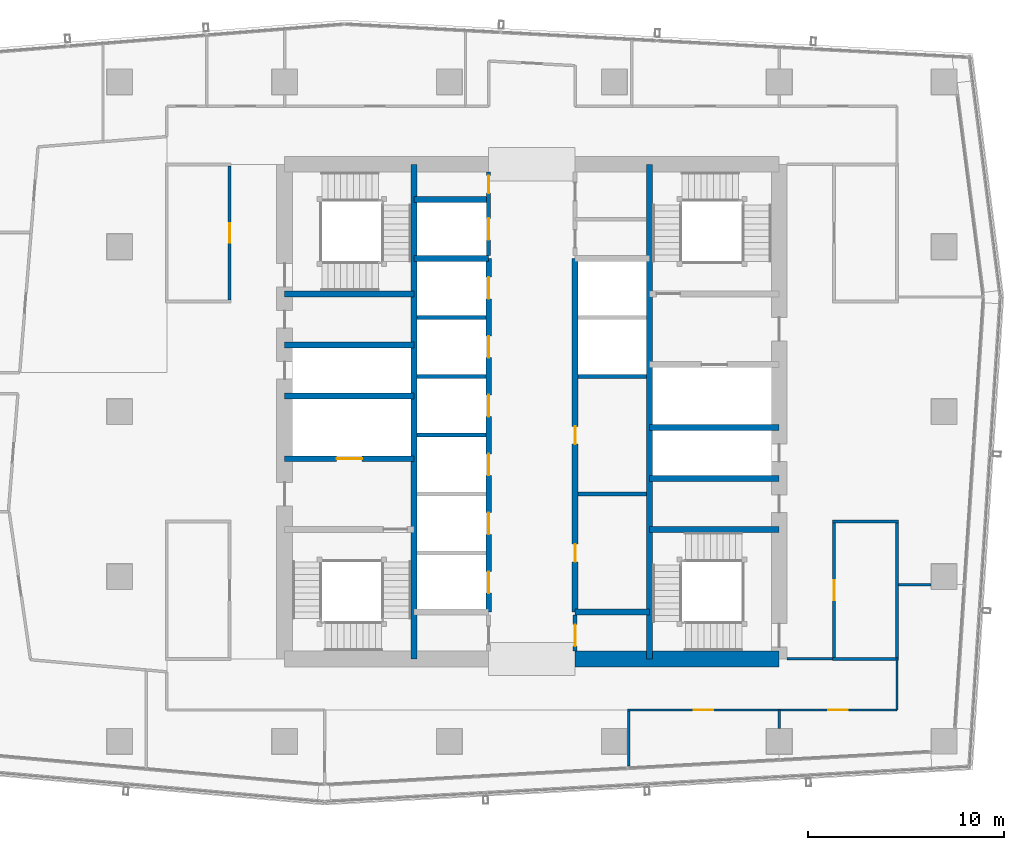
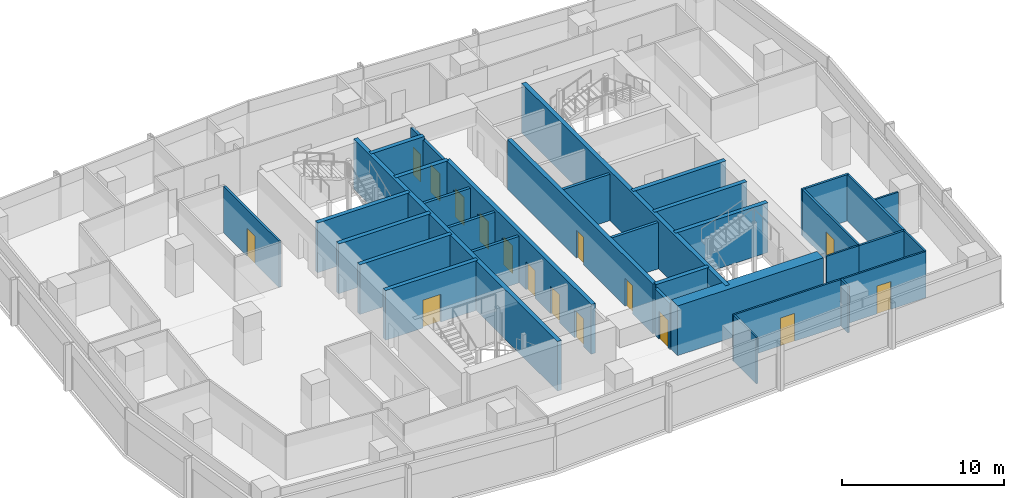
# One storey, part 23 of 29: 34 walls, 16 doors, 16 openings.
"""IFC4 building model written with IfcOpenShell, lengths in metres."""

from ifc_helpers import new_model, si_unit, direction, frame, frame_2d, origin, place, context, subcontext, project, spatial, rectangle, extrude, material, layer, layer_set, type_object, element, fill, save


model = new_model("IFC4")

# Units and contexts
model_context = context("Model", 3, precision=1e-05, world=origin(), true_north=direction((0.0, 1.0)))
body_context = subcontext(model_context, "Body", "Model", "MODEL_VIEW")
ifc_project = project(units=[si_unit("LENGTHUNIT", "METRE"), si_unit("AREAUNIT", "SQUARE_METRE"), si_unit("VOLUMEUNIT", "CUBIC_METRE"), si_unit("PLANEANGLEUNIT", "RADIAN"), si_unit("MASSUNIT", "GRAM", prefix="KILO")], contexts=[model_context])

# Site, building, storey
site_placement = place(None, origin())
site = spatial("IfcSite", under=ifc_project, at=site_placement, CompositionType="ELEMENT")
building_placement = place(site_placement, origin())
building = spatial("IfcBuilding", under=site, at=building_placement, Name="Rekha Terrace Tower", CompositionType="ELEMENT")
storey_placement = place(building_placement, frame((0.0, 0.0, 257.60009765625)))
storey = spatial("IfcBuildingStorey", under=building, at=storey_placement, Name="L65", CompositionType="ELEMENT", Elevation=257.60009765625)

# Walls
ifc_material_1 = material(Name="Concrete M60", Category="concrete")
ifc_layer_1 = layer(ifc_material_1, 0.300048828125)
ifc_layer_set_1 = layer_set([ifc_layer_1], Name="Concrete M60")
wall_type_1 = type_object("IfcWallType", Name="CI5 300 core internal shear wall", PredefinedType="SHEAR", material=ifc_layer_set_1)
for number, where, z_axis, x_axis, name in (
    (1, (31.800048828125, 21.0, 0.0), (0.0, 0.0, 1.0), (0.0, 1.0, 0.0), "Core wall X318 L65"),
    (2, (43.800048828125, 21.0, 0.0), (0.0, 0.0, 1.0), (0.0, 1.0, 0.0), "Core wall X438 L65"),
):
    element("IfcWall", number, at=place(storey_placement, frame(where, z_axis=z_axis, x_axis=x_axis)), inside=storey, type_object=wall_type_1, Name=name, PredefinedType="SHEAR", context=body_context, shape_type="SweptSolid", body=[
        extrude(rectangle(XDim=25.199951171875, YDim=0.300048828125, at=frame_2d((12.60009765625, 0.0))), origin(), (0.0, 0.0, 1.0), 3.75),
    ])

# Wall, openings, doors
wall_1_placement = place(storey_placement, frame((35.60009765625, 23.39990234375, 0.0), z_axis=(0.0, 0.0, 1.0), x_axis=(0.0, 1.0, 0.0)))
wall_1 = element("IfcWall", 3, at=wall_1_placement, inside=storey, type_object=wall_type_1, Name="Core wall X356 L65", PredefinedType="SHEAR", context=body_context, shape_type="SweptSolid", body=[
    extrude(rectangle(XDim=18.0, YDim=0.300048828125, at=frame_2d((9.0, 0.0))), origin(), (0.0, 0.0, 1.0), 3.75),
])
opening_1_placement = place(wall_1_placement, frame((0.949951171875, 0.0, 0.0)))
opening_1 = element("IfcOpeningElement", 4, at=opening_1_placement, cuts=wall_1, Name="Opening LD1", PredefinedType="OPENING", context=body_context, shape_type="SweptSolid", body=[
    extrude(rectangle(XDim=1.10009765625, YDim=2.10009765625, at=frame_2d((0.550048828125, 1.050048828125))), frame((0.0, 0.159912109375, 0.0), z_axis=(0.0, -1.0, 0.0), x_axis=(1.0, 0.0, 0.0)), (0.0, 0.0, 1.0), 0.320068359375),
])
opening_2_placement = place(wall_1_placement, frame((3.949951171875, 0.0, 0.0)))
opening_2 = element("IfcOpeningElement", 5, at=opening_2_placement, cuts=wall_1, Name="Opening LD1", PredefinedType="OPENING", context=body_context, shape_type="SweptSolid", body=[
    extrude(rectangle(XDim=1.10009765625, YDim=2.10009765625, at=frame_2d((0.550048828125, 1.050048828125))), frame((0.0, 0.159912109375, 0.0), z_axis=(0.0, -1.0, 0.0), x_axis=(1.0, 0.0, 0.0)), (0.0, 0.0, 1.0), 0.320068359375),
])
opening_3_placement = place(wall_1_placement, frame((6.949951171875, 0.0, 0.0)))
opening_3 = element("IfcOpeningElement", 6, at=opening_3_placement, cuts=wall_1, Name="Opening LD1", PredefinedType="OPENING", context=body_context, shape_type="SweptSolid", body=[
    extrude(rectangle(XDim=1.10009765625, YDim=2.10009765625, at=frame_2d((0.550048828125, 1.050048828125))), frame((0.0, 0.159912109375, 0.0), z_axis=(0.0, -1.0, 0.0), x_axis=(1.0, 0.0, 0.0)), (0.0, 0.0, 1.0), 0.320068359375),
])
opening_4_placement = place(wall_1_placement, frame((9.949951171875, 0.0, 0.0)))
opening_4 = element("IfcOpeningElement", 7, at=opening_4_placement, cuts=wall_1, Name="Opening LD1", PredefinedType="OPENING", context=body_context, shape_type="SweptSolid", body=[
    extrude(rectangle(XDim=1.10009765625, YDim=2.10009765625, at=frame_2d((0.550048828125, 1.050048828125))), frame((0.0, 0.159912109375, 0.0), z_axis=(0.0, -1.0, 0.0), x_axis=(1.0, 0.0, 0.0)), (0.0, 0.0, 1.0), 0.320068359375),
])
opening_5_placement = place(wall_1_placement, frame((12.949951171875, 0.0, 0.0)))
opening_5 = element("IfcOpeningElement", 8, at=opening_5_placement, cuts=wall_1, Name="Opening LD1", PredefinedType="OPENING", context=body_context, shape_type="SweptSolid", body=[
    extrude(rectangle(XDim=1.10009765625, YDim=2.10009765625, at=frame_2d((0.550048828125, 1.050048828125))), frame((0.0, 0.159912109375, 0.0), z_axis=(0.0, -1.0, 0.0), x_axis=(1.0, 0.0, 0.0)), (0.0, 0.0, 1.0), 0.320068359375),
])
opening_6_placement = place(wall_1_placement, frame((15.949951171875, 0.0, 0.0)))
opening_6 = element("IfcOpeningElement", 9, at=opening_6_placement, cuts=wall_1, Name="Opening LD1", PredefinedType="OPENING", context=body_context, shape_type="SweptSolid", body=[
    extrude(rectangle(XDim=1.10009765625, YDim=2.10009765625, at=frame_2d((0.550048828125, 1.050048828125))), frame((0.0, 0.159912109375, 0.0), z_axis=(0.0, -1.0, 0.0), x_axis=(1.0, 0.0, 0.0)), (0.0, 0.0, 1.0), 0.320068359375),
])
ifc_material_2 = material(Name="Stainless steel sliding landing door", Category="steel")
door_type_1 = type_object("IfcDoorType", Name="LD1 1100x2100 lift landing door", OperationType="SLIDING_TO_LEFT", PredefinedType="USERDEFINED", material=ifc_material_2)
door_1_placement = place(opening_1_placement, origin())
door_1 = element("IfcDoor", 10, at=door_1_placement, inside=storey, type_object=door_type_1, Name="Lift D1 landing door L65", ObjectType="LIFT LANDING DOOR", OperationType="SLIDING_TO_LEFT", OverallHeight=2.10009765625, OverallWidth=1.10009765625, PredefinedType="USERDEFINED", context=body_context, shape_type="SweptSolid", body=[
    extrude(rectangle(XDim=1.10009765625, YDim=2.10009765625, at=frame_2d((0.550048828125, 1.050048828125))), frame((0.0, 0.02490234375, 0.0), z_axis=(0.0, -1.0, 0.0), x_axis=(1.0, 0.0, 0.0)), (0.0, 0.0, 1.0), 0.050048828125),
])
fill(opening_1, door_1)
door_2_placement = place(opening_2_placement, origin())
door_2 = element("IfcDoor", 11, at=door_2_placement, inside=storey, type_object=door_type_1, Name="Lift D2 landing door L65", ObjectType="LIFT LANDING DOOR", OperationType="SLIDING_TO_LEFT", OverallHeight=2.10009765625, OverallWidth=1.10009765625, PredefinedType="USERDEFINED", context=body_context, shape_type="SweptSolid", body=[
    extrude(rectangle(XDim=1.10009765625, YDim=2.10009765625, at=frame_2d((0.550048828125, 1.050048828125))), frame((0.0, 0.02490234375, 0.0), z_axis=(0.0, -1.0, 0.0), x_axis=(1.0, 0.0, 0.0)), (0.0, 0.0, 1.0), 0.050048828125),
])
fill(opening_2, door_2)
door_3_placement = place(opening_3_placement, origin())
door_3 = element("IfcDoor", 12, at=door_3_placement, inside=storey, type_object=door_type_1, Name="Lift D3 landing door L65", ObjectType="LIFT LANDING DOOR", OperationType="SLIDING_TO_LEFT", OverallHeight=2.10009765625, OverallWidth=1.10009765625, PredefinedType="USERDEFINED", context=body_context, shape_type="SweptSolid", body=[
    extrude(rectangle(XDim=1.10009765625, YDim=2.10009765625, at=frame_2d((0.550048828125, 1.050048828125))), frame((0.0, 0.02490234375, 0.0), z_axis=(0.0, -1.0, 0.0), x_axis=(1.0, 0.0, 0.0)), (0.0, 0.0, 1.0), 0.050048828125),
])
fill(opening_3, door_3)
door_4_placement = place(opening_4_placement, origin())
door_4 = element("IfcDoor", 13, at=door_4_placement, inside=storey, type_object=door_type_1, Name="Lift D4 landing door L65", ObjectType="LIFT LANDING DOOR", OperationType="SLIDING_TO_LEFT", OverallHeight=2.10009765625, OverallWidth=1.10009765625, PredefinedType="USERDEFINED", context=body_context, shape_type="SweptSolid", body=[
    extrude(rectangle(XDim=1.10009765625, YDim=2.10009765625, at=frame_2d((0.550048828125, 1.050048828125))), frame((0.0, 0.02490234375, 0.0), z_axis=(0.0, -1.0, 0.0), x_axis=(1.0, 0.0, 0.0)), (0.0, 0.0, 1.0), 0.050048828125),
])
fill(opening_4, door_4)
door_5_placement = place(opening_5_placement, origin())
door_5 = element("IfcDoor", 14, at=door_5_placement, inside=storey, type_object=door_type_1, Name="Lift D5 landing door L65", ObjectType="LIFT LANDING DOOR", OperationType="SLIDING_TO_LEFT", OverallHeight=2.10009765625, OverallWidth=1.10009765625, PredefinedType="USERDEFINED", context=body_context, shape_type="SweptSolid", body=[
    extrude(rectangle(XDim=1.10009765625, YDim=2.10009765625, at=frame_2d((0.550048828125, 1.050048828125))), frame((0.0, 0.02490234375, 0.0), z_axis=(0.0, -1.0, 0.0), x_axis=(1.0, 0.0, 0.0)), (0.0, 0.0, 1.0), 0.050048828125),
])
fill(opening_5, door_5)
door_6_placement = place(opening_6_placement, origin())
door_6 = element("IfcDoor", 15, at=door_6_placement, inside=storey, type_object=door_type_1, Name="Lift D6 landing door L65", ObjectType="LIFT LANDING DOOR", OperationType="SLIDING_TO_LEFT", OverallHeight=2.10009765625, OverallWidth=1.10009765625, PredefinedType="USERDEFINED", context=body_context, shape_type="SweptSolid", body=[
    extrude(rectangle(XDim=1.10009765625, YDim=2.10009765625, at=frame_2d((0.550048828125, 1.050048828125))), frame((0.0, 0.02490234375, 0.0), z_axis=(0.0, -1.0, 0.0), x_axis=(1.0, 0.0, 0.0)), (0.0, 0.0, 1.0), 0.050048828125),
])
fill(opening_6, door_6)

wall_2_placement = place(storey_placement, frame((40.0, 23.39990234375, 0.0), z_axis=(0.0, 0.0, 1.0), x_axis=(0.0, 1.0, 0.0)))
wall_2 = element("IfcWall", 16, at=wall_2_placement, inside=storey, type_object=wall_type_1, Name="Core wall X400 L65", PredefinedType="SHEAR", context=body_context, shape_type="SweptSolid", body=[
    extrude(rectangle(XDim=18.0, YDim=0.300048828125, at=frame_2d((9.0, 0.0))), origin(), (0.0, 0.0, 1.0), 3.75),
])
opening_7_placement = place(wall_2_placement, frame((2.550048828125, 0.0, 0.0)))
opening_7 = element("IfcOpeningElement", 17, at=opening_7_placement, cuts=wall_2, Name="Opening D5", PredefinedType="OPENING", context=body_context, shape_type="SweptSolid", body=[
    extrude(rectangle(XDim=0.89990234375, YDim=2.10009765625, at=frame_2d((0.449951171875, 1.050048828125))), frame((0.0, 0.159912109375, 0.0), z_axis=(0.0, -1.0, 0.0), x_axis=(1.0, 0.0, 0.0)), (0.0, 0.0, 1.0), 0.320068359375),
])
opening_8_placement = place(wall_2_placement, frame((8.550048828125, 0.0, 0.0)))
opening_8 = element("IfcOpeningElement", 18, at=opening_8_placement, cuts=wall_2, Name="Opening D5", PredefinedType="OPENING", context=body_context, shape_type="SweptSolid", body=[
    extrude(rectangle(XDim=0.89990234375, YDim=2.10009765625, at=frame_2d((0.449951171875, 1.050048828125))), frame((0.0, 0.159912109375, 0.0), z_axis=(0.0, -1.0, 0.0), x_axis=(1.0, 0.0, 0.0)), (0.0, 0.0, 1.0), 0.320068359375),
])
ifc_material_3 = material(Name="Steel fire door", Category="steel")
door_type_2 = type_object("IfcDoorType", Name="D5 900x2100 riser access door", OperationType="SINGLE_SWING_LEFT", PredefinedType="DOOR", material=ifc_material_3)
door_7_placement = place(opening_7_placement, origin())
door_7 = element("IfcDoor", 19, at=door_7_placement, inside=storey, type_object=door_type_2, Name="Door back-of-house store L65", OperationType="SINGLE_SWING_LEFT", OverallHeight=2.10009765625, OverallWidth=0.89990234375, PredefinedType="DOOR", context=body_context, shape_type="SweptSolid", body=[
    extrude(rectangle(XDim=0.89990234375, YDim=2.10009765625, at=frame_2d((0.449951171875, 1.050048828125))), frame((0.0, 0.02490234375, 0.0), z_axis=(0.0, -1.0, 0.0), x_axis=(1.0, 0.0, 0.0)), (0.0, 0.0, 1.0), 0.050048828125),
])
fill(opening_7, door_7)
door_8_placement = place(opening_8_placement, origin())
door_8 = element("IfcDoor", 20, at=door_8_placement, inside=storey, type_object=door_type_2, Name="Door back-of-house store L65", OperationType="SINGLE_SWING_LEFT", OverallHeight=2.10009765625, OverallWidth=0.89990234375, PredefinedType="DOOR", context=body_context, shape_type="SweptSolid", body=[
    extrude(rectangle(XDim=0.89990234375, YDim=2.10009765625, at=frame_2d((0.449951171875, 1.050048828125))), frame((0.0, 0.02490234375, 0.0), z_axis=(0.0, -1.0, 0.0), x_axis=(1.0, 0.0, 0.0)), (0.0, 0.0, 1.0), 0.050048828125),
])
fill(opening_8, door_8)

# Walls
for number, where, z_axis, x_axis, name in (
    (21, (31.800048828125, 41.39990234375, 0.0), (0.0, 0.0, 1.0), (1.0, 0.0, 0.0), "Core wall Y414W L65"),
    (22, (31.800048828125, 44.39990234375, 0.0), (0.0, 0.0, 1.0), (1.0, 0.0, 0.0), "Core wall Y444W L65"),
    (23, (40.0, 23.39990234375, 0.0), (0.0, 0.0, 1.0), (1.0, 0.0, 0.0), "Core wall Y234E L65"),
):
    element("IfcWall", number, at=place(storey_placement, frame(where, z_axis=z_axis, x_axis=x_axis)), inside=storey, type_object=wall_type_1, Name=name, PredefinedType="SHEAR", context=body_context, shape_type="SweptSolid", body=[
        extrude(rectangle(XDim=3.800048828125, YDim=0.300048828125, at=frame_2d((1.89990234375, 0.0))), origin(), (0.0, 0.0, 1.0), 3.75),
    ])

# Wall, opening, door
wall_3_placement = place(storey_placement, frame((25.199951171875, 31.199951171875, 0.0), z_axis=(0.0, 0.0, 1.0), x_axis=(1.0, 0.0, 0.0)))
wall_3 = element("IfcWall", 24, at=wall_3_placement, inside=storey, type_object=wall_type_1, Name="Core wall Y312W L65", PredefinedType="SHEAR", context=body_context, shape_type="SweptSolid", body=[
    extrude(rectangle(XDim=6.60009765625, YDim=0.300048828125, at=frame_2d((3.300048828125, 0.0))), origin(), (0.0, 0.0, 1.0), 3.75),
])
opening_9_placement = place(wall_3_placement, frame((2.64990234375, 0.0, 0.0)))
opening_9 = element("IfcOpeningElement", 25, at=opening_9_placement, cuts=wall_3, Name="Opening LD2", PredefinedType="OPENING", context=body_context, shape_type="SweptSolid", body=[
    extrude(rectangle(XDim=1.300048828125, YDim=2.10009765625, at=frame_2d((0.64990234375, 1.050048828125))), frame((0.0, 0.159912109375, 0.0), z_axis=(0.0, -1.0, 0.0), x_axis=(1.0, 0.0, 0.0)), (0.0, 0.0, 1.0), 0.320068359375),
])
door_type_3 = type_object("IfcDoorType", Name="LD2 1300x2100 fire lift landing door", OperationType="SLIDING_TO_LEFT", PredefinedType="USERDEFINED", material=ifc_material_2)
door_9_placement = place(opening_9_placement, origin())
door_9 = element("IfcDoor", 26, at=door_9_placement, inside=storey, type_object=door_type_3, Name="Lift FL1 landing door L65", ObjectType="LIFT LANDING DOOR", OperationType="SLIDING_TO_LEFT", OverallHeight=2.10009765625, OverallWidth=1.300048828125, PredefinedType="USERDEFINED", context=body_context, shape_type="SweptSolid", body=[
    extrude(rectangle(XDim=1.300048828125, YDim=2.10009765625, at=frame_2d((0.64990234375, 1.050048828125))), frame((0.0, 0.02490234375, 0.0), z_axis=(0.0, -1.0, 0.0), x_axis=(1.0, 0.0, 0.0)), (0.0, 0.0, 1.0), 0.050048828125),
])
fill(opening_9, door_9)

# Walls
for number, where, z_axis, x_axis, name in (
    (27, (25.199951171875, 34.39990234375, 0.0), (0.0, 0.0, 1.0), (1.0, 0.0, 0.0), "Core wall Y344W L65"),
    (28, (25.199951171875, 37.0, 0.0), (0.0, 0.0, 1.0), (1.0, 0.0, 0.0), "Core wall Y370W L65"),
    (29, (25.199951171875, 39.60009765625, 0.0), (0.0, 0.0, 1.0), (1.0, 0.0, 0.0), "Core wall Y396W L65"),
):
    element("IfcWall", number, at=place(storey_placement, frame(where, z_axis=z_axis, x_axis=x_axis)), inside=storey, type_object=wall_type_1, Name=name, PredefinedType="SHEAR", context=body_context, shape_type="SweptSolid", body=[
        extrude(rectangle(XDim=6.60009765625, YDim=0.300048828125, at=frame_2d((3.300048828125, 0.0))), origin(), (0.0, 0.0, 1.0), 3.75),
    ])
for number, where, z_axis, x_axis, name in (
    (30, (43.800048828125, 27.60009765625, 0.0), (0.0, 0.0, 1.0), (1.0, 0.0, 0.0), "Core wall Y276E L65"),
    (31, (43.800048828125, 30.199951171875, 0.0), (0.0, 0.0, 1.0), (1.0, 0.0, 0.0), "Core wall Y302E L65"),
    (32, (43.800048828125, 32.800048828125, 0.0), (0.0, 0.0, 1.0), (1.0, 0.0, 0.0), "Core wall Y328E L65"),
):
    element("IfcWall", number, at=place(storey_placement, frame(where, z_axis=z_axis, x_axis=x_axis)), inside=storey, type_object=wall_type_1, Name=name, PredefinedType="SHEAR", context=body_context, shape_type="SweptSolid", body=[
        extrude(rectangle(XDim=6.599853515625, YDim=0.300048828125, at=frame_2d((3.2998046875, 0.0))), origin(), (0.0, 0.0, 1.0), 3.75),
    ])
ifc_layer_2 = layer(ifc_material_1, 0.800048828125)
ifc_layer_set_2 = layer_set([ifc_layer_2], Name="Concrete M60")
wall_type_2 = type_object("IfcWallType", Name="SW5 800 core outer shear wall", PredefinedType="SHEAR", material=ifc_layer_set_2)
wall_4_placement = place(storey_placement, frame((40.0, 21.0, 0.0), z_axis=(0.0, 0.0, 1.0), x_axis=(1.0, 0.0, 0.0)))
element("IfcWall", 33, at=wall_4_placement, inside=storey, type_object=wall_type_2, Name="Core wall S2 L65", PredefinedType="SHEAR", context=body_context, shape_type="SweptSolid", body=[
    extrude(rectangle(XDim=10.39990234375, YDim=0.800048828125, at=frame_2d((5.199951171875, 0.0))), origin(), (0.0, 0.0, 1.0), 3.75),
])

# Wall, opening, door
ifc_material_4 = material(Name="Concrete block masonry, 1 hour", Category="masonry")
ifc_layer_3 = layer(ifc_material_4, 0.14990234375)
ifc_layer_set_3 = layer_set([ifc_layer_3], Name="Concrete block masonry, 1 hour")
wall_type_3 = type_object("IfcWallType", Name="WP2 150 tenancy partition", PredefinedType="PARTITIONING", material=ifc_layer_set_3)
wall_5_placement = place(storey_placement, frame((22.39990234375, 39.27490234375, 0.0), z_axis=(0.0, 0.0, 1.0), x_axis=(0.0, 1.0, 0.0)))
wall_5 = element("IfcWall", 34, at=wall_5_placement, inside=storey, type_object=wall_type_3, Name="Women's WC wall L65", PredefinedType="PARTITIONING", context=body_context, shape_type="SweptSolid", body=[
    extrude(rectangle(XDim=6.85009765625, YDim=0.14990234375, at=frame_2d((3.425048828125, 0.0))), origin(), (0.0, 0.0, 1.0), 3.5),
])
opening_10_placement = place(wall_5_placement, frame((2.925048828125, 0.0, 0.0)))
opening_10 = element("IfcOpeningElement", 35, at=opening_10_placement, cuts=wall_5, Name="Opening D3", PredefinedType="OPENING", context=body_context, shape_type="SweptSolid", body=[
    extrude(rectangle(XDim=1.0, YDim=2.10009765625, at=frame_2d((0.5, 1.050048828125))), frame((0.0, 0.0849609375, 0.0), z_axis=(0.0, -1.0, 0.0), x_axis=(1.0, 0.0, 0.0)), (0.0, 0.0, 1.0), 0.169921875),
])
ifc_material_5 = material(Name="Laminated timber fire door", Category="wood")
door_type_4 = type_object("IfcDoorType", Name="D3 1000x2100 WC door", OperationType="SINGLE_SWING_LEFT", PredefinedType="DOOR", material=ifc_material_5)
door_10_placement = place(opening_10_placement, origin())
door_10 = element("IfcDoor", 36, at=door_10_placement, inside=storey, type_object=door_type_4, Name="Door women's wc L65", OperationType="SINGLE_SWING_LEFT", OverallHeight=2.10009765625, OverallWidth=1.0, PredefinedType="DOOR", context=body_context, shape_type="SweptSolid", body=[
    extrude(rectangle(XDim=1.0, YDim=2.10009765625, at=frame_2d((0.5, 1.050048828125))), frame((0.0, 0.02490234375, 0.0), z_axis=(0.0, -1.0, 0.0), x_axis=(1.0, 0.0, 0.0)), (0.0, 0.0, 1.0), 0.050048828125),
])
fill(opening_10, door_10)

# Walls
for number, where, z_axis, x_axis, name in (
    (37, (53.125, 21.0, 0.0), (0.0, 0.0, 1.0), (1.0, 0.0, 0.0), "Men's WC wall L65"),
    (38, (53.125, 28.0, 0.0), (0.0, 0.0, 1.0), (1.0, 0.0, 0.0), "Men's WC wall L65"),
):
    element("IfcWall", number, at=place(storey_placement, frame(where, z_axis=z_axis, x_axis=x_axis)), inside=storey, type_object=wall_type_3, Name=name, PredefinedType="PARTITIONING", context=body_context, shape_type="SweptSolid", body=[
        extrude(rectangle(XDim=3.35009765625, YDim=0.14990234375, at=frame_2d((1.675048828125, 0.0))), origin(), (0.0, 0.0, 1.0), 3.5),
    ])

# Wall, opening, door
wall_6_placement = place(storey_placement, frame((53.199951171875, 21.074951171875, 0.0), z_axis=(0.0, 0.0, 1.0), x_axis=(0.0, 1.0, 0.0)))
wall_6 = element("IfcWall", 39, at=wall_6_placement, inside=storey, type_object=wall_type_3, Name="Men's WC wall L65", PredefinedType="PARTITIONING", context=body_context, shape_type="SweptSolid", body=[
    extrude(rectangle(XDim=6.85009765625, YDim=0.14990234375, at=frame_2d((3.425048828125, 0.0))), origin(), (0.0, 0.0, 1.0), 3.5),
])
opening_11_placement = place(wall_6_placement, frame((2.925048828125, 0.0, 0.0)))
opening_11 = element("IfcOpeningElement", 40, at=opening_11_placement, cuts=wall_6, Name="Opening D3", PredefinedType="OPENING", context=body_context, shape_type="SweptSolid", body=[
    extrude(rectangle(XDim=1.0, YDim=2.10009765625, at=frame_2d((0.5, 1.050048828125))), frame((0.0, 0.0849609375, 0.0), z_axis=(0.0, -1.0, 0.0), x_axis=(1.0, 0.0, 0.0)), (0.0, 0.0, 1.0), 0.169921875),
])
door_11_placement = place(opening_11_placement, origin())
door_11 = element("IfcDoor", 41, at=door_11_placement, inside=storey, type_object=door_type_4, Name="Door men's wc L65", OperationType="SINGLE_SWING_LEFT", OverallHeight=2.10009765625, OverallWidth=1.0, PredefinedType="DOOR", context=body_context, shape_type="SweptSolid", body=[
    extrude(rectangle(XDim=1.0, YDim=2.10009765625, at=frame_2d((0.5, 1.050048828125))), frame((0.0, 0.02490234375, 0.0), z_axis=(0.0, -1.0, 0.0), x_axis=(1.0, 0.0, 0.0)), (0.0, 0.0, 1.0), 0.050048828125),
])
fill(opening_11, door_11)

# Walls
wall_7_placement = place(storey_placement, frame((56.39990234375, 21.074951171875, 0.0), z_axis=(0.0, 0.0, 1.0), x_axis=(0.0, 1.0, 0.0)))
element("IfcWall", 42, at=wall_7_placement, inside=storey, type_object=wall_type_3, Name="Men's WC wall L65", PredefinedType="PARTITIONING", context=body_context, shape_type="SweptSolid", body=[
    extrude(rectangle(XDim=6.85009765625, YDim=0.14990234375, at=frame_2d((3.425048828125, 0.0))), origin(), (0.0, 0.0, 1.0), 3.5),
])
ifc_material_6 = material(Name="Two layers of fire-rated gypsum board each side on steel studs, acoustic quilt, 1 hour", Category="steel")
ifc_layer_4 = layer(ifc_material_6, 0.125)
ifc_layer_set_4 = layer_set([ifc_layer_4], Name="Two layers of fire-rated gypsum board each side on steel studs, acoustic quilt, 1 hour")
wall_type_4 = type_object("IfcWallType", Name="WP3 125 office partition", PredefinedType="PARTITIONING", material=ifc_layer_set_4)
wall_8_placement = place(storey_placement, frame((50.39990234375, 18.39990234375, 0.0), z_axis=(0.0, 0.0, 1.0), x_axis=(0.0, -1.0, 0.0)))
element("IfcWall", 43, at=wall_8_placement, inside=storey, type_object=wall_type_4, Name="Partition L65-02", PredefinedType="PARTITIONING", context=body_context, shape_type="SweptSolid", body=[
    extrude(rectangle(XDim=0.929931640625, YDim=0.125, at=frame_2d((0.46484375, 0.0))), origin(), (0.0, 0.0, 1.0), 3.5),
])
wall_9_placement = place(storey_placement, frame((42.741943359375, 15.5380859375, 0.0), z_axis=(0.0, 0.0, 1.0), x_axis=(0.0, 1.0, 0.0)))
element("IfcWall", 44, at=wall_9_placement, inside=storey, type_object=wall_type_4, Name="Partition L65-02", PredefinedType="PARTITIONING", context=body_context, shape_type="SweptSolid", body=[
    extrude(rectangle(XDim=2.798828125, YDim=0.125, at=frame_2d((1.3994140625, 0.0))), origin(), (0.0, 0.0, 1.0), 3.5),
])

# Wall, opening, door
wall_10_placement = place(storey_placement, frame((42.674072265625, 18.39990234375, 0.0), z_axis=(0.0, 0.0, 1.0), x_axis=(1.0, 0.0, 0.0)))
wall_10 = element("IfcWall", 45, at=wall_10_placement, inside=storey, type_object=wall_type_4, Name="Partition L65-02", PredefinedType="PARTITIONING", context=body_context, shape_type="SweptSolid", body=[
    extrude(rectangle(XDim=7.725830078125, YDim=0.125, at=frame_2d((3.86279296875, 0.0))), origin(), (0.0, 0.0, 1.0), 3.5),
])
opening_12_placement = place(wall_10_placement, frame((3.363037109375, 0.0, 0.0)))
opening_12 = element("IfcOpeningElement", 46, at=opening_12_placement, cuts=wall_10, Name="Opening D9", PredefinedType="OPENING", context=body_context, shape_type="SweptSolid", body=[
    extrude(rectangle(XDim=1.0, YDim=2.10009765625, at=frame_2d((0.5, 1.050048828125))), frame((0.0, 0.072509765625, 0.0), z_axis=(0.0, -1.0, 0.0), x_axis=(1.0, 0.0, 0.0)), (0.0, 0.0, 1.0), 0.14501953125),
])
ifc_material_7 = material(Name="Timber fire door", Category="wood")
door_type_5 = type_object("IfcDoorType", Name="D9 1000x2100 office door", OperationType="SINGLE_SWING_LEFT", PredefinedType="DOOR", material=ifc_material_7)
door_12_placement = place(opening_12_placement, origin())
door_12 = element("IfcDoor", 47, at=door_12_placement, inside=storey, type_object=door_type_5, Name="Door meeting room L65", OperationType="SINGLE_SWING_LEFT", OverallHeight=2.10009765625, OverallWidth=1.0, PredefinedType="DOOR", context=body_context, shape_type="SweptSolid", body=[
    extrude(rectangle(XDim=1.0, YDim=2.10009765625, at=frame_2d((0.5, 1.050048828125))), frame((0.0, 0.02490234375, 0.0), z_axis=(0.0, -1.0, 0.0), x_axis=(1.0, 0.0, 0.0)), (0.0, 0.0, 1.0), 0.050048828125),
])
fill(opening_12, door_12)

# Wall
wall_11_placement = place(storey_placement, frame((56.47509765625, 24.785888671875, 0.0), z_axis=(0.0, 0.0, 1.0), x_axis=(1.0, 0.0, 0.0)))
element("IfcWall", 48, at=wall_11_placement, inside=storey, type_object=wall_type_4, Name="Partition L65-03", PredefinedType="PARTITIONING", context=body_context, shape_type="SweptSolid", body=[
    extrude(rectangle(XDim=1.65478515625, YDim=0.125, at=frame_2d((0.827392578125, 0.0))), origin(), (0.0, 0.0, 1.0), 3.5),
])

# Wall, opening, door
wall_12_placement = place(storey_placement, frame((50.40087890625, 18.39990234375, 0.0), z_axis=(0.0, 0.0, 1.0), x_axis=(1.0, 0.0, 0.0)))
wall_12 = element("IfcWall", 49, at=wall_12_placement, inside=storey, type_object=wall_type_4, Name="Partition L65-03", PredefinedType="PARTITIONING", context=body_context, shape_type="SweptSolid", body=[
    extrude(rectangle(XDim=5.9990234375, YDim=0.125, at=frame_2d((2.99951171875, 0.0))), origin(), (0.0, 0.0, 1.0), 3.5),
])
opening_13_placement = place(wall_12_placement, frame((2.4990234375, 0.0, 0.0)))
opening_13 = element("IfcOpeningElement", 50, at=opening_13_placement, cuts=wall_12, Name="Opening D9", PredefinedType="OPENING", context=body_context, shape_type="SweptSolid", body=[
    extrude(rectangle(XDim=1.0, YDim=2.10009765625, at=frame_2d((0.5, 1.050048828125))), frame((0.0, 0.072509765625, 0.0), z_axis=(0.0, -1.0, 0.0), x_axis=(1.0, 0.0, 0.0)), (0.0, 0.0, 1.0), 0.14501953125),
])
door_13_placement = place(opening_13_placement, origin())
door_13 = element("IfcDoor", 51, at=door_13_placement, inside=storey, type_object=door_type_5, Name="Door director's office L65", OperationType="SINGLE_SWING_LEFT", OverallHeight=2.10009765625, OverallWidth=1.0, PredefinedType="DOOR", context=body_context, shape_type="SweptSolid", body=[
    extrude(rectangle(XDim=1.0, YDim=2.10009765625, at=frame_2d((0.5, 1.050048828125))), frame((0.0, 0.02490234375, 0.0), z_axis=(0.0, -1.0, 0.0), x_axis=(1.0, 0.0, 0.0)), (0.0, 0.0, 1.0), 0.050048828125),
])
fill(opening_13, door_13)

# Walls
wall_13_placement = place(storey_placement, frame((56.39990234375, 18.39990234375, 0.0), z_axis=(0.0, 0.0, 1.0), x_axis=(0.0, 1.0, 0.0)))
element("IfcWall", 52, at=wall_13_placement, inside=storey, type_object=wall_type_4, Name="Partition L65-03", PredefinedType="PARTITIONING", context=body_context, shape_type="SweptSolid", body=[
    extrude(rectangle(XDim=2.675048828125, YDim=0.125, at=frame_2d((1.33740234375, 0.0))), origin(), (0.0, 0.0, 1.0), 3.5),
])
wall_14_placement = place(storey_placement, frame((53.1240234375, 21.0, 0.0), z_axis=(0.0, 0.0, 1.0), x_axis=(-1.0, 0.0, 0.0)))
element("IfcWall", 53, at=wall_14_placement, inside=storey, type_object=wall_type_4, Name="Partition L65-05", PredefinedType="PARTITIONING", context=body_context, shape_type="SweptSolid", body=[
    extrude(rectangle(XDim=2.323974609375, YDim=0.125, at=frame_2d((1.162109375, 0.0))), origin(), (0.0, 0.0, 1.0), 3.5),
])
ifc_material_8 = material(Name="Solid concrete block masonry, 2 hour", Category="masonry")
ifc_layer_5 = layer(ifc_material_8, 0.199951171875)
ifc_layer_set_5 = layer_set([ifc_layer_5], Name="Solid concrete block masonry, 2 hour")
wall_type_5 = type_object("IfcWallType", Name="WS1 200 stair and shaft enclosure", PredefinedType="PARTITIONING", material=ifc_layer_set_5)
for number, where, z_axis, x_axis, name in (
    (54, (31.949951171875, 32.39990234375, 0.0), (0.0, 0.0, 1.0), (1.0, 0.0, 0.0), "Lift shaft divider L65"),
    (55, (31.949951171875, 35.39990234375, 0.0), (0.0, 0.0, 1.0), (1.0, 0.0, 0.0), "Lift shaft divider L65"),
    (56, (31.949951171875, 38.39990234375, 0.0), (0.0, 0.0, 1.0), (1.0, 0.0, 0.0), "Lift shaft divider L65"),
    (57, (40.14990234375, 29.39990234375, 0.0), (0.0, 0.0, 1.0), (1.0, 0.0, 0.0), "Lift shaft divider L65"),
    (58, (40.14990234375, 35.39990234375, 0.0), (0.0, 0.0, 1.0), (1.0, 0.0, 0.0), "Lift shaft divider L65"),
):
    element("IfcWall", number, at=place(storey_placement, frame(where, z_axis=z_axis, x_axis=x_axis)), inside=storey, type_object=wall_type_5, Name=name, PredefinedType="PARTITIONING", context=body_context, shape_type="SweptSolid", body=[
        extrude(rectangle(XDim=3.5, YDim=0.199951171875, at=frame_2d((1.75, 0.0))), origin(), (0.0, 0.0, 1.0), 3.5),
    ])

# Wall, opening, door
wall_15_placement = place(storey_placement, frame((40.0, 21.39990234375, 0.0), z_axis=(0.0, 0.0, 1.0), x_axis=(0.0, 1.0, 0.0)))
wall_15 = element("IfcWall", 59, at=wall_15_placement, inside=storey, type_object=wall_type_5, Name="Core partition wca L65", PredefinedType="PARTITIONING", context=body_context, shape_type="SweptSolid", body=[
    extrude(rectangle(XDim=1.85009765625, YDim=0.199951171875, at=frame_2d((0.925048828125, 0.0))), origin(), (0.0, 0.0, 1.0), 3.5),
])
opening_14_placement = place(wall_15_placement, frame((0.25, 0.0, 0.0)))
opening_14 = element("IfcOpeningElement", 60, at=opening_14_placement, cuts=wall_15, Name="Opening D4", PredefinedType="OPENING", context=body_context, shape_type="SweptSolid", body=[
    extrude(rectangle(XDim=1.10009765625, YDim=2.10009765625, at=frame_2d((0.550048828125, 1.050048828125))), frame((0.0, 0.10986328125, 0.0), z_axis=(0.0, -1.0, 0.0), x_axis=(1.0, 0.0, 0.0)), (0.0, 0.0, 1.0), 0.219970703125),
])
door_type_6 = type_object("IfcDoorType", Name="D4 1100x2100 accessible WC door", OperationType="SLIDING_TO_LEFT", PredefinedType="DOOR", material=ifc_material_5)
door_14_placement = place(opening_14_placement, origin())
door_14 = element("IfcDoor", 61, at=door_14_placement, inside=storey, type_object=door_type_6, Name="Door wca L65", OperationType="SLIDING_TO_LEFT", OverallHeight=2.10009765625, OverallWidth=1.10009765625, PredefinedType="DOOR", context=body_context, shape_type="SweptSolid", body=[
    extrude(rectangle(XDim=1.10009765625, YDim=2.10009765625, at=frame_2d((0.550048828125, 1.050048828125))), frame((0.0, 0.02490234375, 0.0), z_axis=(0.0, -1.0, 0.0), x_axis=(1.0, 0.0, 0.0)), (0.0, 0.0, 1.0), 0.050048828125),
])
fill(opening_14, door_14)

# Wall, openings, doors
wall_16_placement = place(storey_placement, frame((35.60009765625, 41.550048828125, 0.0), z_axis=(0.0, 0.0, 1.0), x_axis=(0.0, 1.0, 0.0)))
wall_16 = element("IfcWall", 62, at=wall_16_placement, inside=storey, type_object=wall_type_5, Name="Core partition jansv L65", PredefinedType="PARTITIONING", context=body_context, shape_type="SweptSolid", body=[
    extrude(rectangle(XDim=4.25, YDim=0.199951171875, at=frame_2d((2.125, 0.0))), origin(), (0.0, 0.0, 1.0), 3.5),
])
opening_15_placement = place(wall_16_placement, frame((3.175048828125, 0.0, 0.0)))
opening_15 = element("IfcOpeningElement", 63, at=opening_15_placement, cuts=wall_16, Name="Opening D5", PredefinedType="OPENING", context=body_context, shape_type="SweptSolid", body=[
    extrude(rectangle(XDim=0.89990234375, YDim=2.10009765625, at=frame_2d((0.449951171875, 1.050048828125))), frame((0.0, 0.10986328125, 0.0), z_axis=(0.0, -1.0, 0.0), x_axis=(1.0, 0.0, 0.0)), (0.0, 0.0, 1.0), 0.219970703125),
])
opening_16_placement = place(wall_16_placement, frame((0.800048828125, 0.0, 0.0)))
opening_16 = element("IfcOpeningElement", 64, at=opening_16_placement, cuts=wall_16, Name="Opening LD1", PredefinedType="OPENING", context=body_context, shape_type="SweptSolid", body=[
    extrude(rectangle(XDim=1.10009765625, YDim=2.10009765625, at=frame_2d((0.550048828125, 1.050048828125))), frame((0.0, 0.10986328125, 0.0), z_axis=(0.0, -1.0, 0.0), x_axis=(1.0, 0.0, 0.0)), (0.0, 0.0, 1.0), 0.219970703125),
])
door_15_placement = place(opening_15_placement, origin())
door_15 = element("IfcDoor", 65, at=door_15_placement, inside=storey, type_object=door_type_2, Name="Door janitor room L65", OperationType="SINGLE_SWING_LEFT", OverallHeight=2.10009765625, OverallWidth=0.89990234375, PredefinedType="DOOR", context=body_context, shape_type="SweptSolid", body=[
    extrude(rectangle(XDim=0.89990234375, YDim=2.10009765625, at=frame_2d((0.449951171875, 1.050048828125))), frame((0.0, 0.02490234375, 0.0), z_axis=(0.0, -1.0, 0.0), x_axis=(1.0, 0.0, 0.0)), (0.0, 0.0, 1.0), 0.050048828125),
])
fill(opening_15, door_15)
door_16_placement = place(opening_16_placement, origin())
door_16 = element("IfcDoor", 66, at=door_16_placement, inside=storey, type_object=door_type_1, Name="Lift SV1 landing door L65", ObjectType="LIFT LANDING DOOR", OperationType="SLIDING_TO_LEFT", OverallHeight=2.10009765625, OverallWidth=1.10009765625, PredefinedType="USERDEFINED", context=body_context, shape_type="SweptSolid", body=[
    extrude(rectangle(XDim=1.10009765625, YDim=2.10009765625, at=frame_2d((0.550048828125, 1.050048828125))), frame((0.0, 0.02490234375, 0.0), z_axis=(0.0, -1.0, 0.0), x_axis=(1.0, 0.0, 0.0)), (0.0, 0.0, 1.0), 0.050048828125),
])
fill(opening_16, door_16)

save(model, "model.ifc")
